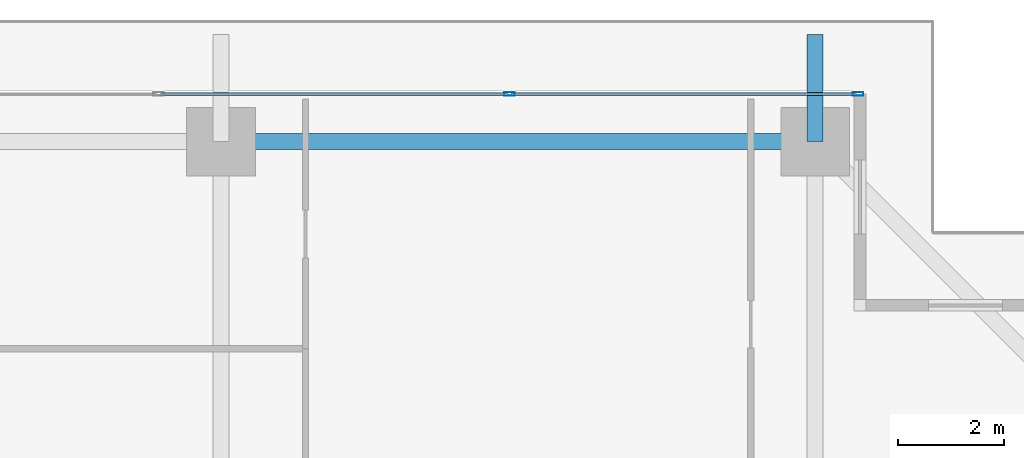
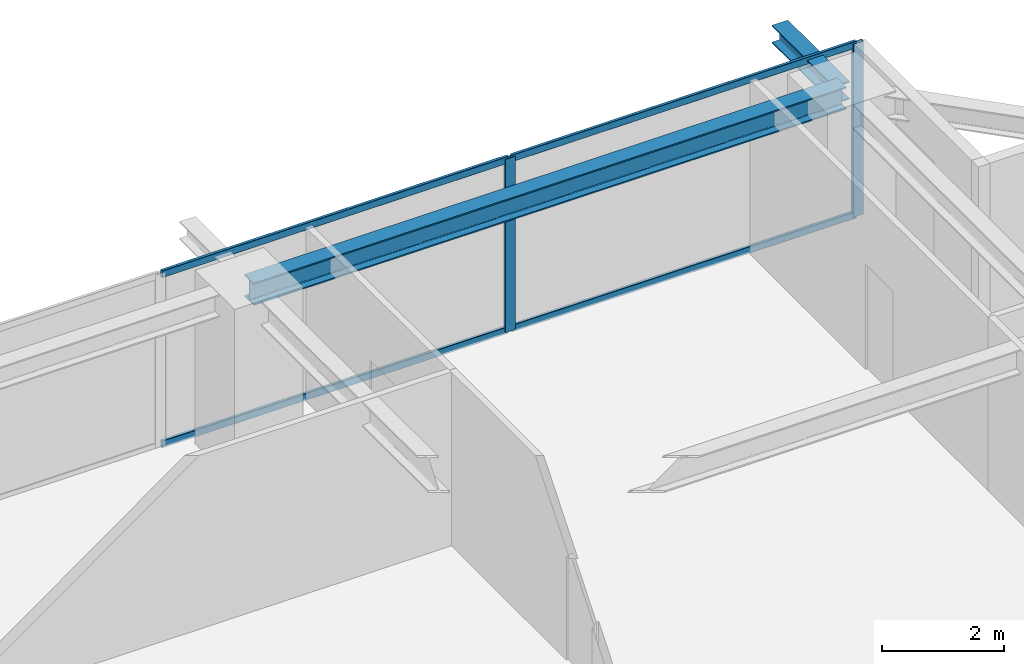
# One storey, part 22 of 34: 6 members, 2 beams, 1 element without a shape of its own.
"""IFC4 building model written with IfcOpenShell, lengths in metres."""

from ifc_helpers import new_model, si_unit, direction, frame, origin, origin_2d, place, context, subcontext, project, spatial, hollow_rectangle, i_section, extrude, source, transform, mapped, material, layer, layer_set, material_profile, profile_set, type_object, element, aggregate, save


model = new_model("IFC4")

# Units and contexts
model_context = context("Model", 3, precision=1e-05, world=origin(), true_north=direction((0.0, 1.0)))
body_context = subcontext(model_context, "Body", "Model", "MODEL_VIEW")
ifc_project = project(units=[si_unit("LENGTHUNIT", "METRE"), si_unit("AREAUNIT", "SQUARE_METRE"), si_unit("VOLUMEUNIT", "CUBIC_METRE"), si_unit("PLANEANGLEUNIT", "RADIAN"), si_unit("MASSUNIT", "GRAM", prefix="KILO")], contexts=[model_context])

# Site, building, storey
site_placement = place(None, origin())
site = spatial("IfcSite", under=ifc_project, at=site_placement, CompositionType="ELEMENT")
building_placement = place(site_placement, origin())
building = spatial("IfcBuilding", under=site, at=building_placement, Name="Serunith Strait Residences", CompositionType="ELEMENT")
storey_placement = place(building_placement, frame((0.0, 0.0, 187.64990234375)))
storey = spatial("IfcBuildingStorey", under=building, at=storey_placement, Name="L47", CompositionType="ELEMENT", Elevation=187.64990234375)

# Beams
ifc_material_1 = material(Name="Steel S355J2", Category="steel")
ifc_material_profile_1 = material_profile(ifc_material_1, i_section(OverallWidth=0.300048828125, OverallDepth=0.449951171875, WebThickness=0.013916015625, FlangeThickness=0.02587890625, FilletRadius=0.027099609375, at=origin_2d()), Name="HEB 450")
ifc_profile_set_1 = profile_set([ifc_material_profile_1], Name="Steel S355J2")
beam_type_1 = type_object("IfcBeamType", Name="BM-HEB450", PredefinedType="BEAM", material=ifc_profile_set_1)
shared_shape_1 = source(origin(), body_context, "Body", "SweptSolid", [
    extrude(i_section(OverallWidth=0.300048828125, OverallDepth=0.449951171875, WebThickness=0.013916015625, FlangeThickness=0.02587890625, FilletRadius=0.027099609375, at=origin_2d()), origin(), (0.0, 0.0, 1.0), 11.25),
])
beam_1_placement = place(storey_placement, frame((48.14990234375, 48.10009765625, 3.26220703125), z_axis=(-1.0, 0.0, 0.0), x_axis=(0.0, -1.0, 0.0)))
element("IfcBeam", 1, at=beam_1_placement, inside=storey, type_object=beam_type_1, Name="L47 Perimeter Ring Beam 09", PredefinedType="BEAM", context=body_context, shape_type="MappedRepresentation", body=[
    mapped(shared_shape_1, transform((0.0, 0.0, 0.0), scale=1.0)),
])
ifc_material_profile_2 = material_profile(ifc_material_1, i_section(OverallWidth=0.300048828125, OverallDepth=0.360107421875, WebThickness=0.012451171875, FlangeThickness=0.0224609375, FilletRadius=0.027099609375, at=origin_2d()), Name="HEB 360")
ifc_profile_set_2 = profile_set([ifc_material_profile_2], Name="Steel S355J2")
beam_type_2 = type_object("IfcBeamType", Name="BM-HEB360", PredefinedType="BEAM", material=ifc_profile_set_2)
shared_shape_2 = source(origin(), body_context, "Body", "SweptSolid", [
    extrude(i_section(OverallWidth=0.300048828125, OverallDepth=0.360107421875, WebThickness=0.012451171875, FlangeThickness=0.0224609375, FilletRadius=0.027099609375, at=origin_2d()), origin(), (0.0, 0.0, 1.0), 2.02978515625),
])
beam_2_placement = place(storey_placement, frame((48.14990234375, 48.10009765625, 3.277099609375), z_axis=(0.0, 1.0, 0.0), x_axis=(-1.0, 0.0, 0.0)))
element("IfcBeam", 2, at=beam_2_placement, inside=storey, type_object=beam_type_2, Name="L48 Cantilevered Balcony Rib TC-N4", PredefinedType="BEAM", context=body_context, shape_type="MappedRepresentation", body=[
    mapped(shared_shape_2, transform((0.0, 0.0, 0.0), scale=1.0)),
])

# Curtain wall, members
ifc_material_2 = material(Name="Pale-Champagne Anodised Aluminium", Category="aluminium")
ifc_layer = layer(ifc_material_2, 0.199951171875, Name="Pale-Champagne Anodised Aluminium")
ifc_layer_set = layer_set([ifc_layer], Name="Pale-Champagne Anodised Aluminium")
curtain_wall_type = type_object("IfcCurtainWallType", Name="CW-SYS2", PredefinedType="NOTDEFINED", material=ifc_layer_set)
curtain_wall_placement = place(storey_placement, origin())
curtain_wall = element("IfcCurtainWall", 3, at=curtain_wall_placement, inside=storey, type_object=curtain_wall_type, Name="L47 N Unitised Fritted Curtain Wall", PredefinedType="NOTDEFINED")
ifc_material_profile_3 = material_profile(ifc_material_2, hollow_rectangle(XDim=0.070068359375, YDim=0.199951171875, WallThickness=0.00390625, InnerFilletRadius=0.006103515625, OuterFilletRadius=0.010009765625, at=origin_2d()), Name="ALU 200x70x4")
ifc_profile_set_3 = profile_set([ifc_material_profile_3], Name="Pale-Champagne Anodised Aluminium")
member_type_1 = type_object("IfcMemberType", Name="CW-SYS2-MULL", PredefinedType="MULLION", material=ifc_profile_set_3)
shared_shape_3 = source(origin(), body_context, "Body", "SweptSolid", [
    extrude(hollow_rectangle(XDim=0.070068359375, YDim=0.199951171875, WallThickness=0.00390625, InnerFilletRadius=0.006103515625, OuterFilletRadius=0.010009765625, at=origin_2d()), origin(), (0.0, 0.0, 1.0), 3.47509765625),
])
member_1_placement = place(storey_placement, frame((48.965087890625, 49.0, 0.0), z_axis=(0.0, 0.0, 1.0), x_axis=(0.0, -1.0, 0.0)))
member_1 = element("IfcMember", 4, at=member_1_placement, type_object=member_type_1, Name="CW-2 mullion 1", PredefinedType="MULLION", context=body_context, shape_type="MappedRepresentation", body=[
    mapped(shared_shape_3, transform((0.0, 0.0, 0.0), scale=1.0)),
])
member_2_placement = place(storey_placement, frame((42.360107421875, 49.0, 0.0), z_axis=(0.0, 0.0, 1.0), x_axis=(0.0, -1.0, 0.0)))
member_2 = element("IfcMember", 5, at=member_2_placement, type_object=member_type_1, Name="CW-2 mullion 2", PredefinedType="MULLION", context=body_context, shape_type="MappedRepresentation", body=[
    mapped(shared_shape_3, transform((0.0, 0.0, 0.0), scale=1.0)),
])
ifc_material_profile_4 = material_profile(ifc_material_2, hollow_rectangle(XDim=0.06005859375, YDim=0.139892578125, WallThickness=0.00341796875, InnerFilletRadius=0.00537109375, OuterFilletRadius=0.0087890625, at=origin_2d()), Name="ALU 140x60x3.5")
ifc_profile_set_4 = profile_set([ifc_material_profile_4], Name="Pale-Champagne Anodised Aluminium")
member_type_2 = type_object("IfcMemberType", Name="CW-SYS2-TRAN", PredefinedType="USERDEFINED", material=ifc_profile_set_4)
shared_shape_4 = source(origin(), body_context, "Body", "SweptSolid", [
    extrude(hollow_rectangle(XDim=0.06005859375, YDim=0.139892578125, WallThickness=0.00341796875, InnerFilletRadius=0.00537109375, OuterFilletRadius=0.0087890625, at=origin_2d()), origin(), (0.0, 0.0, 1.0), 6.534912109375),
])
member_3_placement = place(storey_placement, frame((48.929931640625, 49.0, 0.030029296875), z_axis=(-1.0, 0.0, 0.0), x_axis=(0.0, -1.0, 0.0)))
member_3 = element("IfcMember", 6, at=member_3_placement, type_object=member_type_2, Name="CW-2 transom 1.1", ObjectType="TRANSOM", PredefinedType="USERDEFINED", context=body_context, shape_type="MappedRepresentation", body=[
    mapped(shared_shape_4, transform((0.0, 0.0, 0.0), scale=1.0)),
])
member_4_placement = place(storey_placement, frame((48.929931640625, 49.0, 3.445068359375), z_axis=(-1.0, 0.0, 0.0), x_axis=(0.0, -1.0, 0.0)))
member_4 = element("IfcMember", 7, at=member_4_placement, type_object=member_type_2, Name="CW-2 transom 1.2", ObjectType="TRANSOM", PredefinedType="USERDEFINED", context=body_context, shape_type="MappedRepresentation", body=[
    mapped(shared_shape_4, transform((0.0, 0.0, 0.0), scale=1.0)),
])
shared_shape_5 = source(origin(), body_context, "Body", "SweptSolid", [
    extrude(hollow_rectangle(XDim=0.06005859375, YDim=0.139892578125, WallThickness=0.00341796875, InnerFilletRadius=0.00537109375, OuterFilletRadius=0.0087890625, at=origin_2d()), origin(), (0.0, 0.0, 1.0), 6.570068359375),
])
member_5_placement = place(storey_placement, frame((42.324951171875, 49.0, 0.030029296875), z_axis=(-1.0, 0.0, 0.0), x_axis=(0.0, -1.0, 0.0)))
member_5 = element("IfcMember", 8, at=member_5_placement, type_object=member_type_2, Name="CW-2 transom 2.1", ObjectType="TRANSOM", PredefinedType="USERDEFINED", context=body_context, shape_type="MappedRepresentation", body=[
    mapped(shared_shape_5, transform((0.0, 0.0, 0.0), scale=1.0)),
])
member_6_placement = place(storey_placement, frame((42.324951171875, 49.0, 3.445068359375), z_axis=(-1.0, 0.0, 0.0), x_axis=(0.0, -1.0, 0.0)))
member_6 = element("IfcMember", 9, at=member_6_placement, type_object=member_type_2, Name="CW-2 transom 2.2", ObjectType="TRANSOM", PredefinedType="USERDEFINED", context=body_context, shape_type="MappedRepresentation", body=[
    mapped(shared_shape_5, transform((0.0, 0.0, 0.0), scale=1.0)),
])
aggregate(curtain_wall, [member_1, member_2, member_3, member_4, member_5, member_6])

save(model, "model.ifc")
